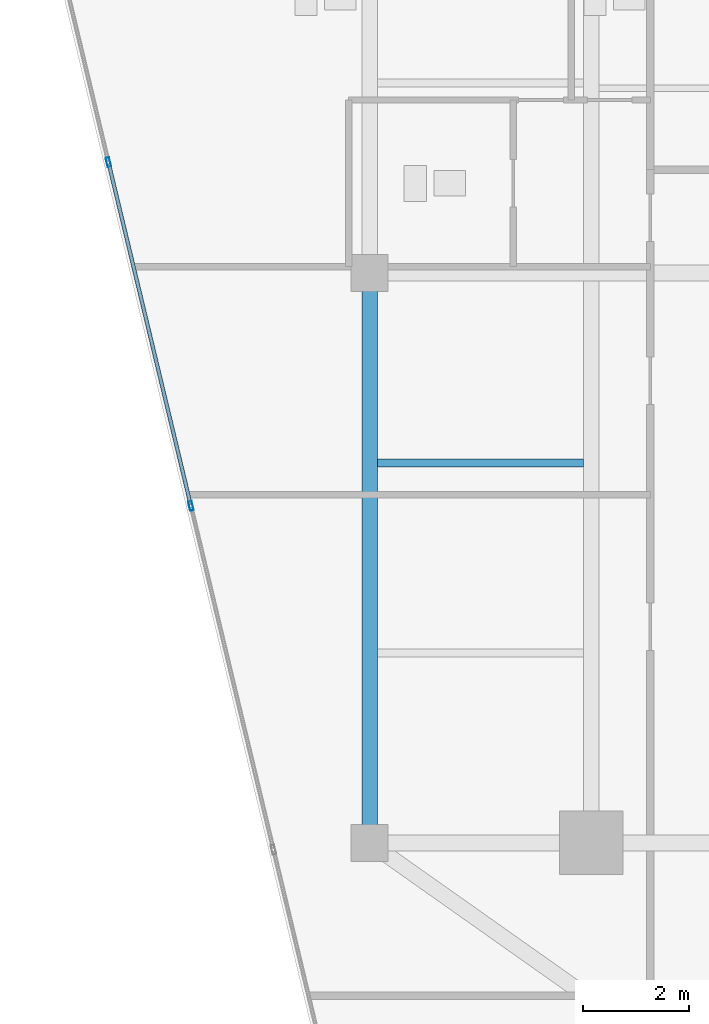
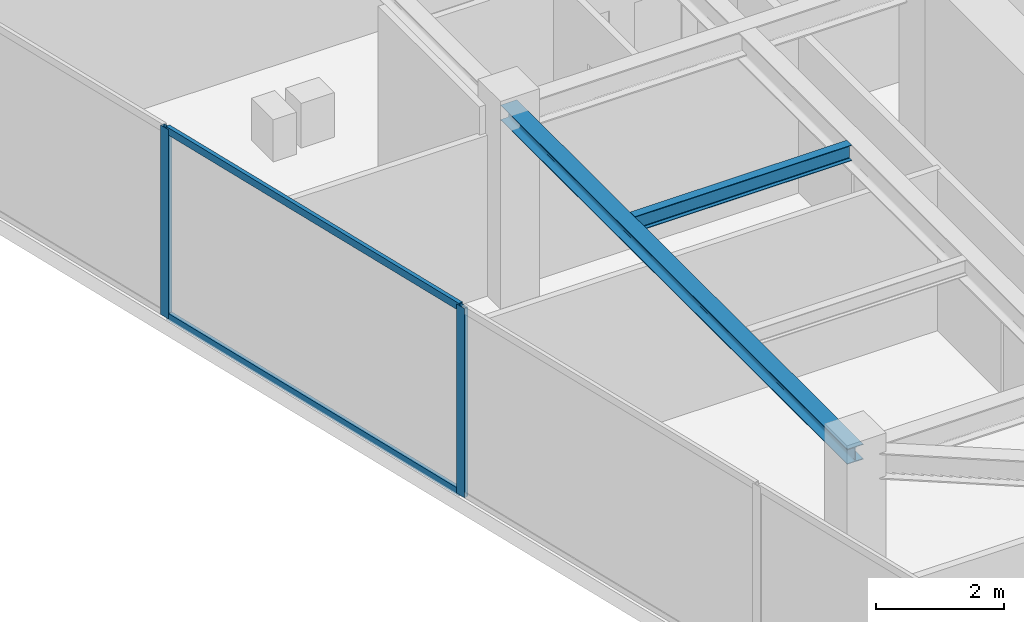
# One storey, part 5 of 22: 4 members, 2 beams, 1 element without a shape of its own.
"""IFC4 building model written with IfcOpenShell, lengths in metres."""

from ifc_helpers import new_model, si_unit, direction, frame, origin, origin_2d, place, context, subcontext, project, spatial, hollow_rectangle, i_section, extrude, source, transform, mapped, material, material_profile, profile_set, type_object, type_shapes, element, aggregate, save


model = new_model("IFC4")

# Units and contexts
model_context = context("Model", 3, precision=1e-05, world=origin(), true_north=direction((0.0, 1.0)))
body_context = subcontext(model_context, "Body", "Model", "MODEL_VIEW")
ifc_project = project(units=[si_unit("LENGTHUNIT", "METRE"), si_unit("AREAUNIT", "SQUARE_METRE"), si_unit("VOLUMEUNIT", "CUBIC_METRE"), si_unit("PLANEANGLEUNIT", "RADIAN"), si_unit("MASSUNIT", "GRAM", prefix="KILO")], contexts=[model_context])

# Site, building, storey
site_placement = place(None, origin())
site = spatial("IfcSite", under=ifc_project, at=site_placement, CompositionType="ELEMENT")
building_placement = place(site_placement, origin())
building = spatial("IfcBuilding", under=site, at=building_placement, Name="Krantzveldt Concourse Tower", CompositionType="ELEMENT")
storey_placement = place(building_placement, frame((0.0, 0.0, 359.300048828125)))
storey = spatial("IfcBuildingStorey", under=building, at=storey_placement, Name="L88", CompositionType="ELEMENT", Elevation=359.300048828125)

# Beams
ifc_material_1 = material(Name="Steel S355JR", Category="steel")
ifc_material_profile_1 = material_profile(ifc_material_1, i_section(OverallWidth=0.2900390625, OverallDepth=0.2900390625, WebThickness=0.008544921875, FlangeThickness=0.013916015625, FilletRadius=0.027099609375, at=origin_2d()), Name="Steel S355JR", Category="steel")
ifc_profile_set_1 = profile_set([ifc_material_profile_1], Name="Steel S355JR - HEA 300")
beam_type_1 = type_object("IfcBeamType", Name="BM-SP-HEA300", PredefinedType="SPANDREL", material=ifc_profile_set_1)
shared_shape_1 = source(origin(), body_context, "Body", "SweptSolid", [
    extrude(i_section(OverallWidth=0.2900390625, OverallDepth=0.2900390625, WebThickness=0.008544921875, FlangeThickness=0.013916015625, FilletRadius=0.027099609375, at=origin_2d()), origin(), (0.0, 0.0, 1.0), 10.800048828125),
])
type_shapes(beam_type_1, [shared_shape_1])
beam_1_placement = place(storey_placement, frame((21.0, 15.89990234375, 3.454833984375), z_axis=(0.0, 1.0, 0.0), x_axis=(-1.0, 0.0, 0.0)))
element("IfcBeam", 1, at=beam_1_placement, inside=storey, type_object=beam_type_1, Name="L88 Tower Girder SP-R01", PredefinedType="SPANDREL", context=body_context, shape_type="MappedRepresentation", body=[
    mapped(shared_shape_1, transform((0.0, 0.0, 0.0), x_axis=(1.0, 0.0, 0.0), y_axis=(0.0, 1.0, 0.0), z_axis=(0.0, 0.0, 1.0), scale=1.0)),
])
ifc_material_profile_2 = material_profile(ifc_material_1, i_section(OverallWidth=0.14990234375, OverallDepth=0.300048828125, WebThickness=0.007080078125, FlangeThickness=0.0107421875, FilletRadius=0.014892578125, at=origin_2d()), Name="Steel S355JR", Category="steel")
ifc_profile_set_2 = profile_set([ifc_material_profile_2], Name="Steel S355JR - IPE 300")
beam_type_2 = type_object("IfcBeamType", Name="BM-J-IPE300", PredefinedType="JOIST", material=ifc_profile_set_2)
shared_shape_2 = source(origin(), body_context, "Body", "SweptSolid", [
    extrude(i_section(OverallWidth=0.14990234375, OverallDepth=0.300048828125, WebThickness=0.007080078125, FlangeThickness=0.0107421875, FilletRadius=0.014892578125, at=origin_2d()), origin(), (0.0, 0.0, 1.0), 3.900146484375),
])
type_shapes(beam_type_2, [shared_shape_2])
beam_2_placement = place(storey_placement, frame((21.14990234375, 23.10009765625, 3.449951171875), z_axis=(1.0, 0.0, 0.0), x_axis=(0.0, 1.0, 0.0)))
element("IfcBeam", 2, at=beam_2_placement, inside=storey, type_object=beam_type_2, Name="L88 Secondary Floor Joist JW-2", PredefinedType="JOIST", context=body_context, shape_type="MappedRepresentation", body=[
    mapped(shared_shape_2, transform((0.0, 0.0, 0.0), x_axis=(1.0, 0.0, 0.0), y_axis=(0.0, 1.0, 0.0), z_axis=(0.0, 0.0, 1.0), scale=1.0)),
])

# Curtain wall, members
ifc_material_2 = material(Name="Anodised aluminium 6063-T6", Category="aluminium")
curtain_wall_type = type_object("IfcCurtainWallType", Name="CW4", PredefinedType="USERDEFINED", material=ifc_material_2)
curtain_wall_placement = place(storey_placement, origin())
curtain_wall = element("IfcCurtainWall", 3, at=curtain_wall_placement, inside=storey, type_object=curtain_wall_type, Name="CW-L88-F04", ObjectType="UNITISED CURTAIN WALL", PredefinedType="USERDEFINED")
ifc_material_profile_3 = material_profile(ifc_material_2, hollow_rectangle(XDim=0.070068359375, YDim=0.139892578125, WallThickness=0.0048828125, at=origin_2d()), Name="Anodised aluminium 6063-T6", Category="aluminium")
ifc_profile_set_3 = profile_set([ifc_material_profile_3], Name="Anodised aluminium 6063-T6 - ALU-TRAN 140x70x5")
member_type_1 = type_object("IfcMemberType", Name="CW-TRN-150", PredefinedType="USERDEFINED", material=ifc_profile_set_3)
shared_shape_3 = source(origin(), body_context, "Body", "SweptSolid", [
    extrude(hollow_rectangle(XDim=0.070068359375, YDim=0.139892578125, WallThickness=0.0048828125, at=origin_2d()), origin(), (0.0, 0.0, 1.0), 6.6298828125),
])
type_shapes(member_type_1, [shared_shape_3])
member_1_placement = place(storey_placement, frame((16.056640625, 28.766357421875, 0.034912109375), z_axis=(0.233427268888, -0.972374264437, 0.0), x_axis=(0.972374264437, 0.233427268888, 0.0)))
member_1 = element("IfcMember", 4, at=member_1_placement, type_object=member_type_1, Name="CW-Z56 transom 2.1", ObjectType="TRANSOM", PredefinedType="USERDEFINED", context=body_context, shape_type="MappedRepresentation", body=[
    mapped(shared_shape_3, transform((0.0, 0.0, 0.0), x_axis=(1.0, 0.0, 0.0), y_axis=(0.0, 1.0, 0.0), z_axis=(0.0, 0.0, 1.0), scale=1.0)),
])
member_2_placement = place(storey_placement, frame((16.056640625, 28.766357421875, 3.56494140625), z_axis=(0.233427268888, -0.972374264437, 0.0), x_axis=(0.972374264437, 0.233427268888, 0.0)))
member_2 = element("IfcMember", 5, at=member_2_placement, type_object=member_type_1, Name="CW-Z56 transom 2.2", ObjectType="TRANSOM", PredefinedType="USERDEFINED", context=body_context, shape_type="MappedRepresentation", body=[
    mapped(shared_shape_3, transform((0.0, 0.0, 0.0), x_axis=(1.0, 0.0, 0.0), y_axis=(0.0, 1.0, 0.0), z_axis=(0.0, 0.0, 1.0), scale=1.0)),
])
ifc_material_profile_4 = material_profile(ifc_material_2, hollow_rectangle(XDim=0.070068359375, YDim=0.179931640625, WallThickness=0.0048828125, at=origin_2d()), Name="Anodised aluminium 6063-T6", Category="aluminium")
ifc_profile_set_4 = profile_set([ifc_material_profile_4], Name="Anodised aluminium 6063-T6 - ALU-MULL 180x70x5")
member_type_2 = type_object("IfcMemberType", Name="CW-MUL-180", PredefinedType="MULLION", material=ifc_profile_set_4)
shared_shape_4 = source(origin(), body_context, "Body", "SweptSolid", [
    extrude(hollow_rectangle(XDim=0.070068359375, YDim=0.179931640625, WallThickness=0.0048828125, at=origin_2d()), origin(), (0.0, 0.0, 1.0), 3.599853515625),
])
type_shapes(member_type_2, [shared_shape_4])
member_3_placement = place(storey_placement, frame((16.04833984375, 28.800537109375, 0.0), z_axis=(0.0, 0.0, 1.0), x_axis=(0.972369896884, 0.233445461796, 0.0)))
member_3 = element("IfcMember", 6, at=member_3_placement, type_object=member_type_2, Name="CW-Z56 mullion 2", PredefinedType="MULLION", context=body_context, shape_type="MappedRepresentation", body=[
    mapped(shared_shape_4, transform((0.0, 0.0, 0.0), x_axis=(1.0, 0.0, 0.0), y_axis=(0.0, 1.0, 0.0), z_axis=(0.0, 0.0, 1.0), scale=1.0)),
])
member_4_placement = place(storey_placement, frame((17.612548828125, 22.28564453125, 0.0), z_axis=(0.0, 0.0, 1.0), x_axis=(0.972369896884, 0.233445461796, 0.0)))
member_4 = element("IfcMember", 7, at=member_4_placement, type_object=member_type_2, Name="CW-Z56 mullion 3", PredefinedType="MULLION", context=body_context, shape_type="MappedRepresentation", body=[
    mapped(shared_shape_4, transform((0.0, 0.0, 0.0), x_axis=(1.0, 0.0, 0.0), y_axis=(0.0, 1.0, 0.0), z_axis=(0.0, 0.0, 1.0), scale=1.0)),
])
aggregate(curtain_wall, [member_3, member_4, member_1, member_2])

save(model, "model.ifc")
